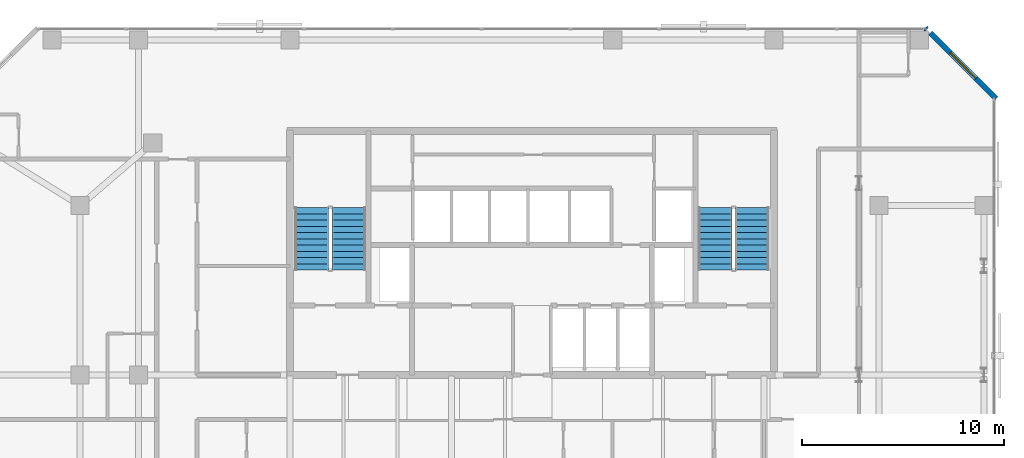
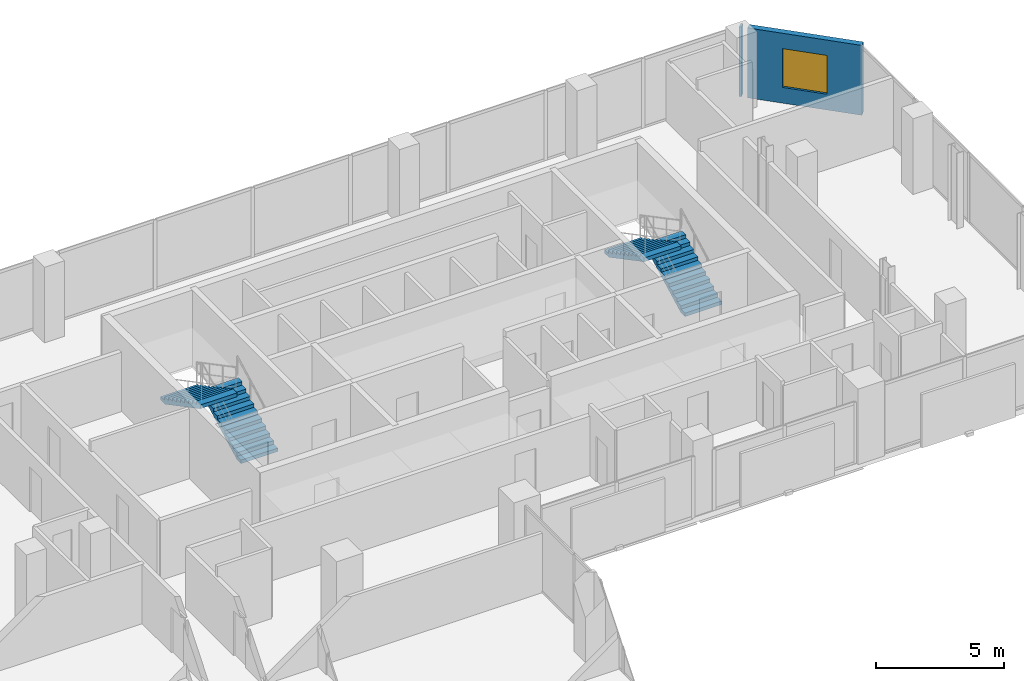
# One storey, part 31 of 34: 4 stair flights, 2 walls, 1 window, 1 opening, 2 elements without a shape of their own.
"""IFC4 building model written with IfcOpenShell, lengths in metres."""

from ifc_helpers import new_model, si_unit, direction, frame, frame_2d, origin, place, context, subcontext, project, spatial, polyline, rectangle, outline, extrude, material, layer, layer_set, type_object, element, fill, aggregate, save


model = new_model("IFC4")

# Units and contexts
model_context = context("Model", 3, precision=1e-05, world=origin(), true_north=direction((0.0, 1.0)))
body_context = subcontext(model_context, "Body", "Model", "MODEL_VIEW")
ifc_project = project(units=[si_unit("LENGTHUNIT", "METRE"), si_unit("AREAUNIT", "SQUARE_METRE"), si_unit("VOLUMEUNIT", "CUBIC_METRE"), si_unit("PLANEANGLEUNIT", "RADIAN"), si_unit("MASSUNIT", "GRAM", prefix="KILO")], contexts=[model_context])

# Site, building, storey
site_placement = place(None, origin())
site = spatial("IfcSite", under=ifc_project, at=site_placement, CompositionType="ELEMENT")
building_placement = place(site_placement, origin())
building = spatial("IfcBuilding", under=site, at=building_placement, Name="Catumbela Crestline Tower", CompositionType="ELEMENT")
storey_placement = place(building_placement, frame((0.0, 0.0, 93.6)))
storey = spatial("IfcBuildingStorey", under=building, at=storey_placement, Name="L23", CompositionType="ELEMENT", Elevation=93.6)

# Wall, opening, window
ifc_material_1 = material(Name="Angolan grey-ochre granite", Category="masonry")
ifc_layer = layer(ifc_material_1, 0.25, Name="Angolan grey-ochre granite")
ifc_layer_set = layer_set([ifc_layer], Name="Angolan grey-ochre granite")
wall_type = type_object("IfcWallType", Name="WE-250", PredefinedType="STANDARD", material=ifc_layer_set)
wall_1_placement = place(storey_placement, frame((51.0, 44.5, 0.0), z_axis=(0.0, 0.0, 1.0), x_axis=(-0.707106781187, 0.707106781187, 0.0)))
wall_1 = element("IfcWall", 1, at=wall_1_placement, inside=storey, type_object=wall_type, Name="L23 Granite Punched Window Wall 6-1", PredefinedType="STANDARD", context=body_context, shape_type="SweptSolid", body=[
    extrude(rectangle(XDim=4.6126, YDim=0.25, at=frame_2d((2.3063, 0.0))), origin(), (0.0, 0.0, 1.0), 3.33),
])
opening_placement = place(wall_1_placement, frame((1.4063, 0.0, 0.75)))
opening = element("IfcOpeningElement", 2, at=opening_placement, cuts=wall_1, Name="Opening WN-01", PredefinedType="OPENING", context=body_context, shape_type="SweptSolid", body=[
    extrude(rectangle(XDim=1.8, YDim=1.85, at=frame_2d((0.9, 0.925))), frame((0.0, 0.135, 0.0), z_axis=(0.0, -1.0, 0.0), x_axis=(1.0, 0.0, 0.0)), (0.0, 0.0, 1.0), 0.27),
])
ifc_material_2 = material(Name="Low-E laminated solar-control double glazing", Category="glass")
window_type = type_object("IfcWindowType", Name="WF-1800", PartitioningType="SINGLE_PANEL", PredefinedType="WINDOW", material=ifc_material_2)
window_placement = place(opening_placement, origin())
window = element("IfcWindow", 3, at=window_placement, inside=storey, type_object=window_type, Name="L23 Facade Vision Window 137", OverallHeight=1.85, OverallWidth=1.8, PartitioningType="SINGLE_PANEL", PredefinedType="WINDOW", context=body_context, shape_type="SweptSolid", body=[
    extrude(rectangle(XDim=1.8, YDim=1.85, at=frame_2d((0.9, 0.925))), frame((0.0, 0.03, 0.0), z_axis=(0.0, -1.0, 0.0), x_axis=(1.0, 0.0, 0.0)), (0.0, 0.0, 1.0), 0.06),
])
fill(opening, window)

# Wall
wall_2_placement = place(storey_placement, frame((47.5616, 47.9384, 0.0), z_axis=(0.0, 0.0, 1.0), x_axis=(-0.707106781187, 0.707106781187, 0.0)))
element("IfcWall", 4, at=wall_2_placement, inside=storey, type_object=wall_type, Name="L23 Granite Punched Window Wall 6-2", PredefinedType="STANDARD", context=body_context, shape_type="SweptSolid", body=[
    extrude(rectangle(XDim=0.0871, YDim=0.25, at=frame_2d((0.0436, 0.0))), origin(), (0.0, 0.0, 1.0), 3.33),
])

# Stair, stair flights
ifc_material_3 = material(Name="Concrete C45/55", Category="concrete")
stair_type = type_object("IfcStairType", Name="ST-DLG", PredefinedType="HALF_TURN_STAIR", material=ifc_material_3)
stair_1_placement = place(storey_placement, origin())
stair_1 = element("IfcStair", 5, at=stair_1_placement, inside=storey, type_object=stair_type, Name="L23 West Core Pressurised Exit Stair ST-01", PredefinedType="HALF_TURN_STAIR")
stair_flight_type = type_object("IfcStairFlightType", Name="SF-1636", PredefinedType="STRAIGHT", material=ifc_material_3)
stair_flight_1_placement = place(storey_placement, frame((18.92, 36.0, 0.0), z_axis=(0.0, 0.0, 1.0), x_axis=(0.0, 1.0, 0.0)))
stair_flight_1 = element("IfcStairFlight", 6, at=stair_flight_1_placement, type_object=stair_flight_type, Name="ST-01 flight 1", NumberOfRisers=11, NumberOfTreads=10, PredefinedType="STRAIGHT", RiserHeight=0.163636364, TreadLength=0.31, context=body_context, shape_type="SweptSolid", body=[
    extrude(outline(polyline([(0.0, 0.0), (0.0, 0.1636), (0.31, 0.1636), (0.31, 0.3273), (0.62, 0.3273), (0.62, 0.4909), (0.93, 0.4909), (0.93, 0.6545), (1.24, 0.6545), (1.24, 0.8182), (1.55, 0.8182), (1.55, 0.9818), (1.86, 0.9818), (1.86, 1.1455), (2.17, 1.1455), (2.17, 1.3091), (2.48, 1.3091), (2.48, 1.4727), (2.79, 1.4727), (2.79, 1.6364), (3.1, 1.6364), (3.1, 1.8), (3.1, 1.4554), (0.3427, 0.0), (0.0, 0.0)])), frame((0.0, 0.83, 0.0), z_axis=(0.0, -1.0, 0.0), x_axis=(1.0, 0.0, 0.0)), (0.0, 0.0, 1.0), 1.66),
])
stair_flight_2_placement = place(storey_placement, frame((17.08, 39.1, 1.8), z_axis=(0.0, 0.0, 1.0), x_axis=(0.0, -1.0, 0.0)))
stair_flight_2 = element("IfcStairFlight", 7, at=stair_flight_2_placement, type_object=stair_flight_type, Name="ST-01 flight 2", NumberOfRisers=11, NumberOfTreads=10, PredefinedType="STRAIGHT", RiserHeight=0.163636364, TreadLength=0.31, context=body_context, shape_type="SweptSolid", body=[
    extrude(outline(polyline([(0.0, 0.0), (0.0, 0.1636), (0.31, 0.1636), (0.31, 0.3273), (0.62, 0.3273), (0.62, 0.4909), (0.93, 0.4909), (0.93, 0.6545), (1.24, 0.6545), (1.24, 0.8182), (1.55, 0.8182), (1.55, 0.9818), (1.86, 0.9818), (1.86, 1.1455), (2.17, 1.1455), (2.17, 1.3091), (2.48, 1.3091), (2.48, 1.4727), (2.79, 1.4727), (2.79, 1.6364), (3.1, 1.6364), (3.1, 1.8), (3.1, 1.4554), (0.3427, 0.0), (0.0, 0.0)])), frame((0.0, 0.83, 0.0), z_axis=(0.0, -1.0, 0.0), x_axis=(1.0, 0.0, 0.0)), (0.0, 0.0, 1.0), 1.66),
])
aggregate(stair_1, [stair_flight_1, stair_flight_2])

stair_2_placement = place(storey_placement, origin())
stair_2 = element("IfcStair", 8, at=stair_2_placement, inside=storey, type_object=stair_type, Name="L23 East Core Pressurised Exit Stair ST-02", PredefinedType="HALF_TURN_STAIR")
stair_flight_3_placement = place(storey_placement, frame((38.92, 36.0, 0.0), z_axis=(0.0, 0.0, 1.0), x_axis=(0.0, 1.0, 0.0)))
stair_flight_3 = element("IfcStairFlight", 9, at=stair_flight_3_placement, type_object=stair_flight_type, Name="ST-02 flight 1", NumberOfRisers=11, NumberOfTreads=10, PredefinedType="STRAIGHT", RiserHeight=0.163636364, TreadLength=0.31, context=body_context, shape_type="SweptSolid", body=[
    extrude(outline(polyline([(0.0, 0.0), (0.0, 0.1636), (0.31, 0.1636), (0.31, 0.3273), (0.62, 0.3273), (0.62, 0.4909), (0.93, 0.4909), (0.93, 0.6545), (1.24, 0.6545), (1.24, 0.8182), (1.55, 0.8182), (1.55, 0.9818), (1.86, 0.9818), (1.86, 1.1455), (2.17, 1.1455), (2.17, 1.3091), (2.48, 1.3091), (2.48, 1.4727), (2.79, 1.4727), (2.79, 1.6364), (3.1, 1.6364), (3.1, 1.8), (3.1, 1.4554), (0.3427, 0.0), (0.0, 0.0)])), frame((0.0, 0.83, 0.0), z_axis=(0.0, -1.0, 0.0), x_axis=(1.0, 0.0, 0.0)), (0.0, 0.0, 1.0), 1.66),
])
stair_flight_4_placement = place(storey_placement, frame((37.08, 39.1, 1.8), z_axis=(0.0, 0.0, 1.0), x_axis=(0.0, -1.0, 0.0)))
stair_flight_4 = element("IfcStairFlight", 10, at=stair_flight_4_placement, type_object=stair_flight_type, Name="ST-02 flight 2", NumberOfRisers=11, NumberOfTreads=10, PredefinedType="STRAIGHT", RiserHeight=0.163636364, TreadLength=0.31, context=body_context, shape_type="SweptSolid", body=[
    extrude(outline(polyline([(0.0, 0.0), (0.0, 0.1636), (0.31, 0.1636), (0.31, 0.3273), (0.62, 0.3273), (0.62, 0.4909), (0.93, 0.4909), (0.93, 0.6545), (1.24, 0.6545), (1.24, 0.8182), (1.55, 0.8182), (1.55, 0.9818), (1.86, 0.9818), (1.86, 1.1455), (2.17, 1.1455), (2.17, 1.3091), (2.48, 1.3091), (2.48, 1.4727), (2.79, 1.4727), (2.79, 1.6364), (3.1, 1.6364), (3.1, 1.8), (3.1, 1.4554), (0.3427, 0.0), (0.0, 0.0)])), frame((0.0, 0.83, 0.0), z_axis=(0.0, -1.0, 0.0), x_axis=(1.0, 0.0, 0.0)), (0.0, 0.0, 1.0), 1.66),
])
aggregate(stair_2, [stair_flight_3, stair_flight_4])

save(model, "model.ifc")
